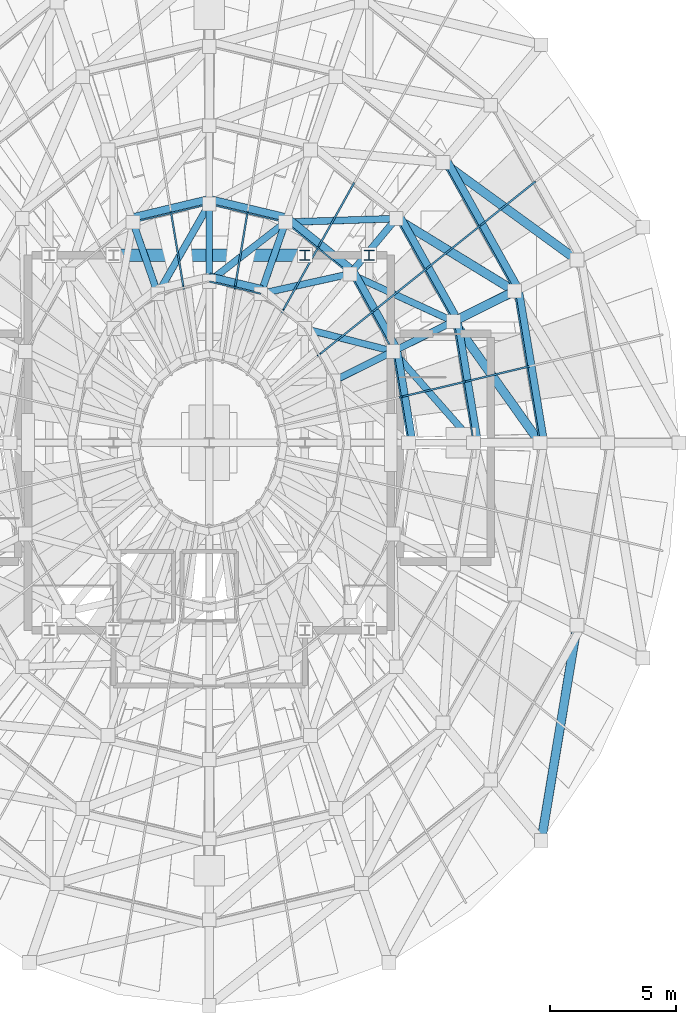
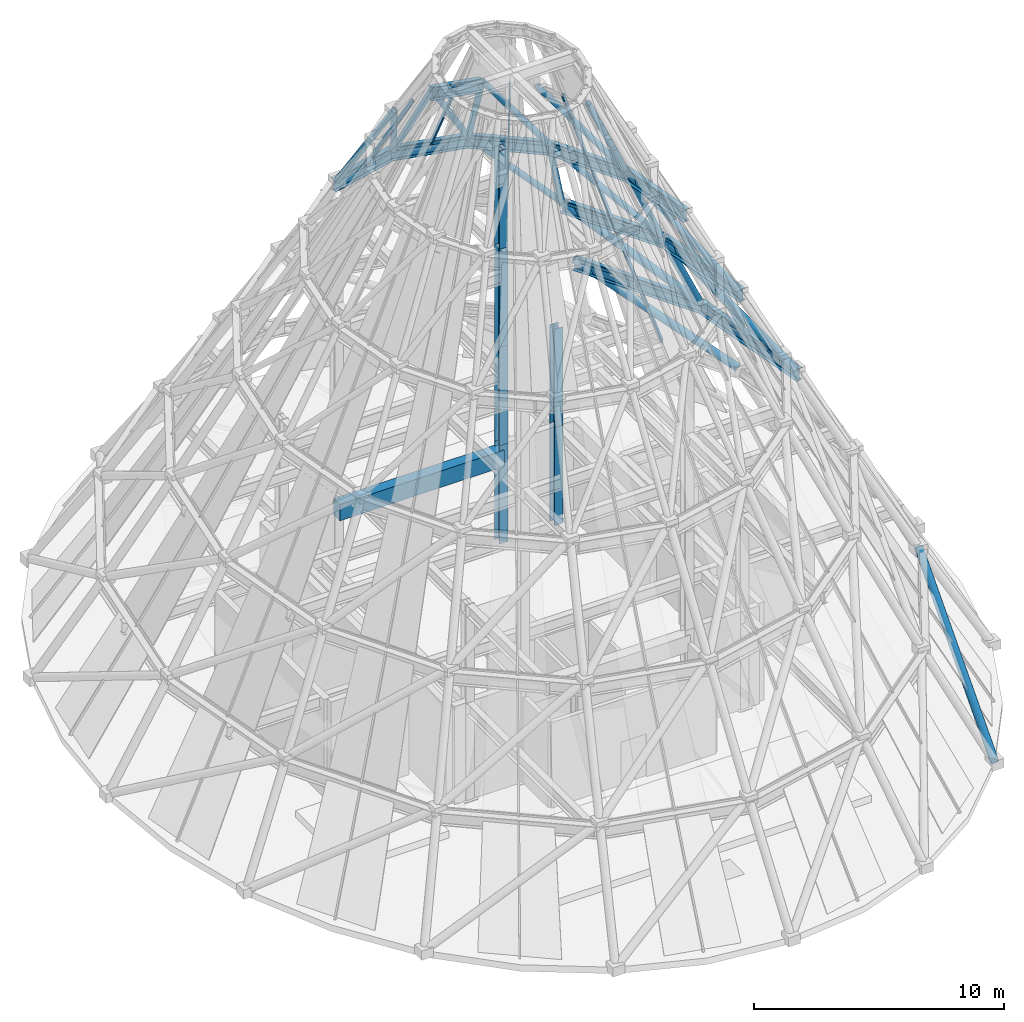
# One storey, part 8 of 16: 44 members, 11 beams, 4 elements without a shape of their own.
"""IFC4 building model written with IfcOpenShell, lengths in metres."""

from ifc_helpers import new_model, si_unit, direction, frame, origin, origin_2d, place, context, subcontext, project, spatial, rectangle, hollow_rectangle, hollow_circle, i_section, extrude, material, layer, layer_set, material_profile, profile_set, type_object, element, aggregate, save


model = new_model("IFC4")

# Units and contexts
model_context = context("Model", 3, precision=1e-05, world=origin(), true_north=direction((0.0, 1.0)))
body_context = subcontext(model_context, "Body", "Model", "MODEL_VIEW")
ifc_project = project(units=[si_unit("LENGTHUNIT", "METRE"), si_unit("AREAUNIT", "SQUARE_METRE"), si_unit("VOLUMEUNIT", "CUBIC_METRE"), si_unit("PLANEANGLEUNIT", "RADIAN"), si_unit("MASSUNIT", "GRAM", prefix="KILO")], contexts=[model_context])

# Site, building, storey
site_placement = place(None, origin())
site = spatial("IfcSite", under=ifc_project, at=site_placement, CompositionType="ELEMENT")
building_placement = place(site_placement, origin())
building = spatial("IfcBuilding", under=site, at=building_placement, Name="Veldorina Hangang Commons", CompositionType="ELEMENT")
storey_placement = place(building_placement, frame((0.0, 0.0, 308.39990234375)))
storey = spatial("IfcBuildingStorey", under=building, at=storey_placement, Name="Crown", CompositionType="ELEMENT", Elevation=308.39990234375)

# Beams
ifc_material_1 = material(Name="Concrete C50/60", Category="concrete")
ifc_material_profile_1 = material_profile(ifc_material_1, rectangle(XDim=0.5, YDim=0.800048828125, at=origin_2d()), Name="RC-CB-500x800")
ifc_profile_set_1 = profile_set([ifc_material_profile_1], Name="Concrete C50/60")
beam_type_1 = type_object("IfcBeamType", Name="BM-CB800", PredefinedType="LINTEL", material=ifc_profile_set_1)
beam_1_placement = place(storey_placement, frame((28.199951171875, 31.449951171875, 4.16015625), z_axis=(1.0, 0.0, 0.0), x_axis=(0.0, 1.0, 0.0)))
element("IfcBeam", 1, at=beam_1_placement, inside=storey, type_object=beam_type_1, Name="Crown north core coupling beam", PredefinedType="LINTEL", context=body_context, shape_type="SweptSolid", body=[
    extrude(rectangle(XDim=0.5, YDim=0.800048828125, at=origin_2d()), origin(), (0.0, 0.0, 1.0), 7.60009765625),
])
ifc_material_2 = material(Name="Steel SM460-TMC", Category="steel")
ifc_material_profile_2 = material_profile(ifc_material_2, i_section(OverallWidth=0.300048828125, OverallDepth=0.587890625, WebThickness=0.011962890625, FlangeThickness=0.02001953125, FilletRadius=0.01806640625, at=origin_2d()), Name="H-588x300x12x20")
ifc_profile_set_2 = profile_set([ifc_material_profile_2], Name="Steel SM460-TMC")
beam_type_2 = type_object("IfcBeamType", Name="BM-FG588", PredefinedType="BEAM", material=ifc_profile_set_2)
beam_2_placement = place(storey_placement, frame((45.296142578125, 24.0, 9.300048828125), z_axis=(-0.163758445565, 0.986500467058, 0.0), x_axis=(-0.986500467058, -0.163758445565, 0.0)))
element("IfcBeam", 2, at=beam_2_placement, inside=storey, type_object=beam_type_2, Name="Crown tier 2 ring beam 00", PredefinedType="BEAM", context=body_context, shape_type="SweptSolid", body=[
    extrude(i_section(OverallWidth=0.300048828125, OverallDepth=0.587890625, WebThickness=0.011962890625, FlangeThickness=0.02001953125, FilletRadius=0.01806640625, at=origin_2d()), origin(), (0.0, 0.0, 1.0), 6.18115234375),
])
beam_3_placement = place(storey_placement, frame((44.283935546875, 30.09765625, 9.300048828125), z_axis=(-0.486955766168, 0.873426632177, 0.0), x_axis=(-0.873426632177, -0.486955766168, 0.0)))
element("IfcBeam", 3, at=beam_3_placement, inside=storey, type_object=beam_type_2, Name="Crown tier 2 ring beam 01", PredefinedType="BEAM", context=body_context, shape_type="SweptSolid", body=[
    extrude(i_section(OverallWidth=0.300048828125, OverallDepth=0.587890625, WebThickness=0.011962890625, FlangeThickness=0.02001953125, FilletRadius=0.01806640625, at=origin_2d()), origin(), (0.0, 0.0, 1.0), 5.91845703125),
])
beam_4_placement = place(storey_placement, frame((42.6650390625, 24.0, 14.10009765625), z_axis=(-0.163728199347, 0.986505487435, 0.0), x_axis=(-0.986505487435, -0.163728199347, 0.0)))
element("IfcBeam", 4, at=beam_4_placement, inside=storey, type_object=beam_type_2, Name="Crown tier 3 ring beam 00", PredefinedType="BEAM", context=body_context, shape_type="SweptSolid", body=[
    extrude(i_section(OverallWidth=0.300048828125, OverallDepth=0.587890625, WebThickness=0.011962890625, FlangeThickness=0.02001953125, FilletRadius=0.01806640625, at=origin_2d()), origin(), (0.0, 0.0, 1.0), 4.9580078125),
])
beam_5_placement = place(storey_placement, frame((41.853271484375, 28.89111328125, 14.10009765625), z_axis=(-0.486956666645, 0.873426130139, 0.0), x_axis=(-0.873426130139, -0.486956666645, 0.0)))
element("IfcBeam", 5, at=beam_5_placement, inside=storey, type_object=beam_type_2, Name="Crown tier 3 ring beam 01", PredefinedType="BEAM", context=body_context, shape_type="SweptSolid", body=[
    extrude(i_section(OverallWidth=0.300048828125, OverallDepth=0.587890625, WebThickness=0.011962890625, FlangeThickness=0.02001953125, FilletRadius=0.01806640625, at=origin_2d()), origin(), (0.0, 0.0, 1.0), 4.747314453125),
])
beam_6_placement = place(storey_placement, frame((40.07080078125, 24.0, 18.900146484375), z_axis=(-0.163713087297, 0.98650799543, 0.0), x_axis=(-0.98650799543, -0.163713087297, 0.0)))
element("IfcBeam", 6, at=beam_6_placement, inside=storey, type_object=beam_type_2, Name="Crown tier 4 ring beam 00", PredefinedType="BEAM", context=body_context, shape_type="SweptSolid", body=[
    extrude(i_section(OverallWidth=0.300048828125, OverallDepth=0.587890625, WebThickness=0.011962890625, FlangeThickness=0.02001953125, FilletRadius=0.01806640625, at=origin_2d()), origin(), (0.0, 0.0, 1.0), 3.751953125),
])
beam_7_placement = place(storey_placement, frame((39.45654296875, 27.701416015625, 18.900146484375), z_axis=(-0.486992551607, 0.873406122419, 0.0), x_axis=(-0.873406122419, -0.486992551607, 0.0)))
element("IfcBeam", 7, at=beam_7_placement, inside=storey, type_object=beam_type_2, Name="Crown tier 4 ring beam 01", PredefinedType="BEAM", context=body_context, shape_type="SweptSolid", body=[
    extrude(i_section(OverallWidth=0.300048828125, OverallDepth=0.587890625, WebThickness=0.011962890625, FlangeThickness=0.02001953125, FilletRadius=0.01806640625, at=origin_2d()), origin(), (0.0, 0.0, 1.0), 3.592529296875),
])
beam_8_placement = place(storey_placement, frame((37.70703125, 30.839111328125, 18.900146484375), z_axis=(-0.780584702233, 0.62505001611, 0.0), x_axis=(-0.62505001611, -0.780584702233, 0.0)))
element("IfcBeam", 8, at=beam_8_placement, inside=storey, type_object=beam_type_2, Name="Crown tier 4 ring beam 02", PredefinedType="BEAM", context=body_context, shape_type="SweptSolid", body=[
    extrude(i_section(OverallWidth=0.300048828125, OverallDepth=0.587890625, WebThickness=0.011962890625, FlangeThickness=0.02001953125, FilletRadius=0.01806640625, at=origin_2d()), origin(), (0.0, 0.0, 1.0), 3.3544921875),
])
for number, where, z_axis, x_axis, name in (
    (9, (35.088623046875, 32.935791015625, 18.900146484375), (-0.972739348926, 0.231901183808, 0.0), (-0.231901183808, -0.972739348926, 0.0), "Crown tier 4 ring beam 03"),
    (10, (32.0, 33.672119140625, 18.900146484375), (-0.972739348926, -0.231901183808, 0.0), (0.231901183808, -0.972739348926, 0.0), "Crown tier 4 ring beam 04"),
):
    element("IfcBeam", number, at=place(storey_placement, frame(where, z_axis=z_axis, x_axis=x_axis)), inside=storey, type_object=beam_type_2, Name=name, PredefinedType="BEAM", context=body_context, shape_type="SweptSolid", body=[
        extrude(i_section(OverallWidth=0.300048828125, OverallDepth=0.587890625, WebThickness=0.011962890625, FlangeThickness=0.02001953125, FilletRadius=0.01806640625, at=origin_2d()), origin(), (0.0, 0.0, 1.0), 3.17529296875),
    ])
beam_9_placement = place(storey_placement, frame((34.10595703125, 30.093017578125, 23.7001953125), z_axis=(-0.972725088951, 0.231960990954, 0.0), x_axis=(-0.231960990954, -0.972725088951, 0.0)))
element("IfcBeam", 11, at=beam_9_placement, inside=storey, type_object=beam_type_2, Name="Crown tier 5 ring beam 03", PredefinedType="BEAM", context=body_context, shape_type="SweptSolid", body=[
    extrude(i_section(OverallWidth=0.300048828125, OverallDepth=0.587890625, WebThickness=0.011962890625, FlangeThickness=0.02001953125, FilletRadius=0.01806640625, at=origin_2d()), origin(), (0.0, 0.0, 1.0), 2.1650390625),
])

# Members
ifc_material_profile_3 = material_profile(ifc_material_2, i_section(OverallWidth=0.39990234375, OverallDepth=0.39990234375, WebThickness=0.012939453125, FlangeThickness=0.02099609375, FilletRadius=0.01806640625, at=origin_2d()), Name="H-400x400x13x21")
ifc_profile_set_3 = profile_set([ifc_material_profile_3], Name="Steel SM460-TMC")
member_type_1 = type_object("IfcMemberType", Name="CRN-POST-H400", PredefinedType="BRACE", material=ifc_profile_set_3)
for number, where, z_axis, x_axis, name in (
    (12, (38.35009765625, 31.449951171875, 0.0), (0.0, 0.0, 1.0), (1.0, 0.0, 0.0), "Crown tier 1 outer core post NE"),
    (13, (35.800048828125, 31.449951171875, 0.0), (0.0, 0.0, 1.0), (1.0, 0.0, 0.0), "Crown tier 1 inner core post INE"),
    (14, (38.35009765625, 31.449951171875, 4.800048828125), (0.0, 0.0, 1.0), (1.0, 0.0, 0.0), "Crown tier 2 outer core post NE"),
    (15, (35.800048828125, 31.449951171875, 4.800048828125), (0.0, 0.0, 1.0), (1.0, 0.0, 0.0), "Crown tier 2 inner core post INE"),
    (16, (35.800048828125, 31.449951171875, 9.60009765625), (0.0, 0.0, 1.0), (1.0, 0.0, 0.0), "Crown tier 3 inner core post INE"),
    (17, (35.800048828125, 31.449951171875, 14.400146484375), (0.0, 0.0, 1.0), (1.0, 0.0, 0.0), "Crown tier 4 inner core post INE"),
):
    element("IfcMember", number, at=place(storey_placement, frame(where, z_axis=z_axis, x_axis=x_axis)), inside=storey, type_object=member_type_1, Name=name, PredefinedType="BRACE", context=body_context, shape_type="SweptSolid", body=[
        extrude(i_section(OverallWidth=0.39990234375, OverallDepth=0.39990234375, WebThickness=0.012939453125, FlangeThickness=0.02099609375, FilletRadius=0.01806640625, at=origin_2d()), origin(), (0.0, 0.0, 1.0), 4.800048828125),
    ])
ifc_material_3 = material(Name="Steel SM355-TMC", Category="steel")
ifc_material_profile_4 = material_profile(ifc_material_3, hollow_circle(Radius=0.136474609375, WallThickness=0.011962890625, at=origin_2d()), Name="CHS-273.0x12")
ifc_profile_set_4 = profile_set([ifc_material_profile_4], Name="Steel SM355-TMC")
member_type_2 = type_object("IfcMemberType", Name="CRN-RIB273", PredefinedType="BRACE", material=ifc_profile_set_4)
member_1_placement = place(storey_placement, frame((42.5009765625, 24.0, 14.400146484375), z_axis=(-0.468921554688, 0.532469511309, 0.704690566898), x_axis=(-0.750469949179, -0.66090457358, 0.0)))
element("IfcMember", 18, at=member_1_placement, inside=storey, type_object=member_type_2, Name="Crown tier 4 CROWN FRAME diagrid brace 00", PredefinedType="BRACE", context=body_context, shape_type="SweptSolid", body=[
    extrude(hollow_circle(Radius=0.136474609375, WallThickness=0.011962890625, at=origin_2d()), origin(), (0.0, 0.0, 1.0), 6.8115234375),
])
member_2_placement = place(storey_placement, frame((41.70166015625, 28.81591796875, 14.400146484375), z_axis=(-0.435852985266, -0.216393520058, 0.873616632003), x_axis=(0.444691596768, -0.895683752093, 0.0)))
element("IfcMember", 19, at=member_2_placement, inside=storey, type_object=member_type_2, Name="Crown tier 4 CROWN FRAME meridian rib 01", PredefinedType="BRACE", context=body_context, shape_type="SweptSolid", body=[
    extrude(hollow_circle(Radius=0.136474609375, WallThickness=0.011962890625, at=origin_2d()), origin(), (0.0, 0.0, 1.0), 5.494384765625),
])
member_3_placement = place(storey_placement, frame((41.70166015625, 28.81591796875, 14.400146484375), z_axis=(-0.623173752506, 0.286003875838, 0.727912259269), x_axis=(-0.417115749595, -0.908853371804, 0.0)))
element("IfcMember", 20, at=member_3_placement, inside=storey, type_object=member_type_2, Name="Crown tier 4 CROWN FRAME diagrid brace 01", PredefinedType="BRACE", context=body_context, shape_type="SweptSolid", body=[
    extrude(hollow_circle(Radius=0.136474609375, WallThickness=0.011962890625, at=origin_2d()), origin(), (0.0, 0.0, 1.0), 6.59423828125),
])
member_4_placement = place(storey_placement, frame((39.42529296875, 32.8984375, 14.400146484375), z_axis=(-0.328028884835, -0.393084160477, 0.859000520079), x_axis=(0.767780420949, -0.640713059963, 0.0)))
element("IfcMember", 21, at=member_4_placement, inside=storey, type_object=member_type_2, Name="Crown tier 4 CROWN FRAME meridian rib 02", PredefinedType="BRACE", context=body_context, shape_type="SweptSolid", body=[
    extrude(hollow_circle(Radius=0.136474609375, WallThickness=0.011962890625, at=origin_2d()), origin(), (0.0, 0.0, 1.0), 5.587890625),
])
member_5_placement = place(storey_placement, frame((39.42529296875, 32.8984375, 14.400146484375), z_axis=(-0.675450014447, -0.021818943687, 0.737082906924), x_axis=(0.032285984733, -0.999478671703, 0.0)))
element("IfcMember", 22, at=member_5_placement, inside=storey, type_object=member_type_2, Name="Crown tier 4 CROWN FRAME diagrid brace 02", PredefinedType="BRACE", context=body_context, shape_type="SweptSolid", body=[
    extrude(hollow_circle(Radius=0.136474609375, WallThickness=0.011962890625, at=origin_2d()), origin(), (0.0, 0.0, 1.0), 6.51220703125),
])
member_6_placement = place(storey_placement, frame((39.306884765625, 27.626953125, 19.2001953125), z_axis=(-0.432504003521, -0.214693027495, 0.875698116295), x_axis=(0.444628824746, -0.895714914582, 0.0)))
element("IfcMember", 23, at=member_6_placement, inside=storey, type_object=member_type_2, Name="Crown tier 5 CROWN FRAME meridian rib 01", PredefinedType="BRACE", context=body_context, shape_type="SweptSolid", body=[
    extrude(hollow_circle(Radius=0.136474609375, WallThickness=0.011962890625, at=origin_2d()), origin(), (0.0, 0.0, 1.0), 5.481201171875),
])
member_7_placement = place(storey_placement, frame((39.306884765625, 27.626953125, 19.2001953125), z_axis=(-0.585685231505, 0.149480615679, 0.796635647667), x_axis=(-0.247296208435, -0.96893992863, 0.0)))
element("IfcMember", 24, at=member_7_placement, inside=storey, type_object=member_type_2, Name="Crown tier 5 CROWN FRAME diagrid brace 01", PredefinedType="BRACE", context=body_context, shape_type="SweptSolid", body=[
    extrude(hollow_circle(Radius=0.136474609375, WallThickness=0.011962890625, at=origin_2d()), origin(), (0.0, 0.0, 1.0), 6.025146484375),
])
member_8_placement = place(storey_placement, frame((37.59228515625, 30.701904296875, 19.2001953125), z_axis=(-0.589290288574, -0.130624459397, 0.797291795016), x_axis=(0.216411106862, -0.97630232655, 0.0)))
element("IfcMember", 25, at=member_8_placement, inside=storey, type_object=member_type_2, Name="Crown tier 5 CROWN FRAME diagrid brace 02", PredefinedType="BRACE", context=body_context, shape_type="SweptSolid", body=[
    extrude(hollow_circle(Radius=0.136474609375, WallThickness=0.011962890625, at=origin_2d()), origin(), (0.0, 0.0, 1.0), 6.02001953125),
])
member_9_placement = place(storey_placement, frame((35.026611328125, 32.75634765625, 19.2001953125), z_axis=(-0.173386459595, -0.501622288375, 0.847533017313), x_axis=(0.945132762504, -0.326686487693, 0.0)))
element("IfcMember", 26, at=member_9_placement, inside=storey, type_object=member_type_2, Name="Crown tier 5 CROWN FRAME meridian rib 03", PredefinedType="BRACE", context=body_context, shape_type="SweptSolid", body=[
    extrude(hollow_circle(Radius=0.136474609375, WallThickness=0.011962890625, at=origin_2d()), origin(), (0.0, 0.0, 1.0), 5.663330078125),
])
member_10_placement = place(storey_placement, frame((35.026611328125, 32.75634765625, 19.2001953125), z_axis=(-0.49268560955, -0.383116018074, 0.781334119847), x_axis=(0.61385684887, -0.789417360523, 0.0)))
element("IfcMember", 27, at=member_10_placement, inside=storey, type_object=member_type_2, Name="Crown tier 5 CROWN FRAME diagrid brace 03", PredefinedType="BRACE", context=body_context, shape_type="SweptSolid", body=[
    extrude(hollow_circle(Radius=0.136474609375, WallThickness=0.011962890625, at=origin_2d()), origin(), (0.0, 0.0, 1.0), 6.14306640625),
])
member_11_placement = place(storey_placement, frame((32.0, 33.477783203125, 19.2001953125), z_axis=(0.0, -0.539436480288, 0.842026296344), x_axis=(1.0, 0.0, 0.0)))
element("IfcMember", 28, at=member_11_placement, inside=storey, type_object=member_type_2, Name="Crown tier 5 CROWN FRAME meridian rib 04", PredefinedType="BRACE", context=body_context, shape_type="SweptSolid", body=[
    extrude(hollow_circle(Radius=0.136474609375, WallThickness=0.011962890625, at=origin_2d()), origin(), (0.0, 0.0, 1.0), 5.7001953125),
])
member_12_placement = place(storey_placement, frame((32.0, 33.477783203125, 19.2001953125), z_axis=(-0.323662341353, -0.563887429574, 0.759785269374), x_axis=(0.867286839261, -0.497808736811, 0.0)))
element("IfcMember", 29, at=member_12_placement, inside=storey, type_object=member_type_2, Name="Crown tier 5 CROWN FRAME diagrid brace 04", PredefinedType="BRACE", context=body_context, shape_type="SweptSolid", body=[
    extrude(hollow_circle(Radius=0.136474609375, WallThickness=0.011962890625, at=origin_2d()), origin(), (0.0, 0.0, 1.0), 6.3173828125),
])
member_13_placement = place(storey_placement, frame((28.973388671875, 32.75634765625, 19.2001953125), z_axis=(0.173386459595, -0.501622288375, 0.847533017313), x_axis=(0.945132762504, 0.326686487693, 0.0)))
element("IfcMember", 30, at=member_13_placement, inside=storey, type_object=member_type_2, Name="Crown tier 5 CROWN FRAME meridian rib 05", PredefinedType="BRACE", context=body_context, shape_type="SweptSolid", body=[
    extrude(hollow_circle(Radius=0.136474609375, WallThickness=0.011962890625, at=origin_2d()), origin(), (0.0, 0.0, 1.0), 5.663330078125),
])
ifc_material_profile_5 = material_profile(ifc_material_3, hollow_circle(Radius=0.177734375, WallThickness=0.01611328125, at=origin_2d()), Name="CHS-355.6x16")
ifc_profile_set_5 = profile_set([ifc_material_profile_5], Name="Steel SM355-TMC")
member_type_3 = type_object("IfcMemberType", Name="CRN-RIB355", PredefinedType="BRACE", material=ifc_profile_set_5)
member_14_placement = place(storey_placement, frame((45.1875, 8.1962890625, 0.0), z_axis=(0.143334626605, 0.863038037916, 0.484376434115), x_axis=(-0.986487378252, 0.163837274604, 0.0)))
element("IfcMember", 31, at=member_14_placement, inside=storey, type_object=member_type_3, Name="Crown tier 1 CROWN FRAME diagrid brace 14", PredefinedType="BRACE", context=body_context, shape_type="SweptSolid", body=[
    extrude(hollow_circle(Radius=0.177734375, WallThickness=0.01611328125, at=origin_2d()), origin(), (0.0, 0.0, 1.0), 9.90966796875),
])
member_15_placement = place(storey_placement, frame((46.60791015625, 31.251220703125, 4.800048828125), z_axis=(-0.653453203163, 0.475393946565, 0.589066640412), x_axis=(-0.588297350815, -0.808644685276, 0.0)))
element("IfcMember", 32, at=member_15_placement, inside=storey, type_object=member_type_3, Name="Crown tier 2 CROWN FRAME diagrid brace 01", PredefinedType="BRACE", context=body_context, shape_type="SweptSolid", body=[
    extrude(hollow_circle(Radius=0.177734375, WallThickness=0.01611328125, at=origin_2d()), origin(), (0.0, 0.0, 1.0), 8.148681640625),
])
member_16_placement = place(storey_placement, frame((45.12841796875, 24.0, 9.60009765625), z_axis=(-0.450047676964, 0.632490772001, 0.630406624166), x_axis=(-0.814787088927, -0.579760295051, 0.0)))
element("IfcMember", 33, at=member_16_placement, inside=storey, type_object=member_type_3, Name="Crown tier 3 CROWN FRAME diagrid brace 00", PredefinedType="BRACE", context=body_context, shape_type="SweptSolid", body=[
    extrude(hollow_circle(Radius=0.177734375, WallThickness=0.01611328125, at=origin_2d()), origin(), (0.0, 0.0, 1.0), 7.6142578125),
])
member_17_placement = place(storey_placement, frame((44.129150390625, 30.020751953125, 9.60009765625), z_axis=(-0.440381719039, -0.21857425158, 0.870798046669), x_axis=(0.444581110507, -0.89573859813, 0.0)))
element("IfcMember", 34, at=member_17_placement, inside=storey, type_object=member_type_3, Name="Crown tier 3 CROWN FRAME meridian rib 01", PredefinedType="BRACE", context=body_context, shape_type="SweptSolid", body=[
    extrude(hollow_circle(Radius=0.177734375, WallThickness=0.01611328125, at=origin_2d()), origin(), (0.0, 0.0, 1.0), 5.51220703125),
])
member_18_placement = place(storey_placement, frame((44.129150390625, 30.020751953125, 9.60009765625), z_axis=(-0.643412007407, 0.393621079115, 0.656569444005), x_axis=(-0.521860057708, -0.853031113248, 0.0)))
element("IfcMember", 35, at=member_18_placement, inside=storey, type_object=member_type_3, Name="Crown tier 3 CROWN FRAME diagrid brace 01", PredefinedType="BRACE", context=body_context, shape_type="SweptSolid", body=[
    extrude(hollow_circle(Radius=0.177734375, WallThickness=0.01611328125, at=origin_2d()), origin(), (0.0, 0.0, 1.0), 7.310791015625),
])

# Curtain wall, member
ifc_material_4 = material(Name="Glass Low-Iron Laminated", Category="glass")
ifc_layer = layer(ifc_material_4, 0.179931640625)
ifc_layer_set = layer_set([ifc_layer], Name="Glass Low-Iron Laminated")
curtain_wall_type = type_object("IfcCurtainWallType", Name="CW-SYS-CRN", PredefinedType="NOTDEFINED", material=ifc_layer_set)
curtain_wall_1_placement = place(storey_placement, origin())
curtain_wall_1 = element("IfcCurtainWall", 36, at=curtain_wall_1_placement, inside=storey, type_object=curtain_wall_type, Name="Crown glass-point sloped pyramidal curtain wall tier 2", PredefinedType="NOTDEFINED")
ifc_material_5 = material(Name="Aluminium Anodized AA6063-T6", Category="aluminium")
ifc_material_profile_6 = material_profile(ifc_material_5, hollow_rectangle(XDim=0.070068359375, YDim=0.179931640625, WallThickness=0.00390625, at=origin_2d()), Name="ALU-RHS-180x70x4")
ifc_profile_set_6 = profile_set([ifc_material_profile_6], Name="Aluminium Anodized AA6063-T6")
member_type_4 = type_object("IfcMemberType", Name="CW-MUL-180", PredefinedType="MULLION", material=ifc_profile_set_6)
member_19_placement = place(storey_placement, frame((44.894287109375, 34.324951171875, 4.800048828125), z_axis=(-0.39362812705, -0.315183601842, 0.863548605884), x_axis=(0.625034893689, -0.78059681121, 0.0)))
member_19 = element("IfcMember", 37, at=member_19_placement, type_object=member_type_4, Name="CW-CRN-T2 sloped mid-facet mullion 2", PredefinedType="MULLION", context=body_context, shape_type="SweptSolid", body=[
    extrude(hollow_rectangle(XDim=0.070068359375, YDim=0.179931640625, WallThickness=0.00390625, at=origin_2d()), origin(), (0.0, 0.0, 1.0), 5.55859375),
])

# Curtain wall, members
curtain_wall_2_placement = place(storey_placement, origin())
curtain_wall_2 = element("IfcCurtainWall", 38, at=curtain_wall_2_placement, inside=storey, type_object=curtain_wall_type, Name="Crown glass-point sloped pyramidal curtain wall tier 3", PredefinedType="NOTDEFINED")
member_20_placement = place(storey_placement, frame((44.628662109375, 27.010498046875, 9.60009765625), z_axis=(-0.463043570632, -0.110393308764, 0.879433891248), x_axis=(0.231908464941, -0.972737613074, 0.0)))
member_20 = element("IfcMember", 39, at=member_20_placement, type_object=member_type_4, Name="CW-CRN-T3 sloped mid-facet mullion 1", PredefinedType="MULLION", context=body_context, shape_type="SweptSolid", body=[
    extrude(hollow_rectangle(XDim=0.070068359375, YDim=0.179931640625, WallThickness=0.00390625, at=origin_2d()), origin(), (0.0, 0.0, 1.0), 5.4580078125),
])
member_21_placement = place(storey_placement, frame((42.706298828125, 32.572998046875, 9.60009765625), z_axis=(-0.387520273629, -0.310298790368, 0.86806837186), x_axis=(0.625042053082, -0.780591078529, 0.0)))
member_21 = element("IfcMember", 40, at=member_21_placement, type_object=member_type_4, Name="CW-CRN-T3 sloped mid-facet mullion 2", PredefinedType="MULLION", context=body_context, shape_type="SweptSolid", body=[
    extrude(hollow_rectangle(XDim=0.070068359375, YDim=0.179931640625, WallThickness=0.00390625, at=origin_2d()), origin(), (0.0, 0.0, 1.0), 5.529541015625),
])

curtain_wall_3_placement = place(storey_placement, origin())
curtain_wall_3 = element("IfcCurtainWall", 41, at=curtain_wall_3_placement, inside=storey, type_object=curtain_wall_type, Name="Crown glass-point sloped pyramidal curtain wall tier 4", PredefinedType="NOTDEFINED")
member_22_placement = place(storey_placement, frame((42.101318359375, 26.407958984375, 14.400146484375), z_axis=(-0.458212699142, -0.109247813807, 0.882103189839), x_axis=(0.231920966436, -0.972734632532, 0.0)))
member_22 = element("IfcMember", 42, at=member_22_placement, type_object=member_type_4, Name="CW-CRN-T4 sloped mid-facet mullion 1", PredefinedType="MULLION", context=body_context, shape_type="SweptSolid", body=[
    extrude(hollow_rectangle(XDim=0.070068359375, YDim=0.179931640625, WallThickness=0.00390625, at=origin_2d()), origin(), (0.0, 0.0, 1.0), 5.441650390625),
])
member_23_placement = place(storey_placement, frame((40.5634765625, 30.857177734375, 14.400146484375), z_axis=(-0.383534533147, -0.307164293468, 0.870948539641), x_axis=(0.625112734885, -0.780534476295, 0.0)))
member_23 = element("IfcMember", 43, at=member_23_placement, type_object=member_type_4, Name="CW-CRN-T4 sloped mid-facet mullion 2", PredefinedType="MULLION", context=body_context, shape_type="SweptSolid", body=[
    extrude(hollow_rectangle(XDim=0.070068359375, YDim=0.179931640625, WallThickness=0.00390625, at=origin_2d()), origin(), (0.0, 0.0, 1.0), 5.51123046875),
])
member_24_placement = place(storey_placement, frame((37.721923828125, 34.26220703125, 14.400146484375), z_axis=(-0.25183553366, -0.451693257954, 0.855892554416), x_axis=(0.873421711736, -0.486964591595, 0.0)))
member_24 = element("IfcMember", 44, at=member_24_placement, type_object=member_type_4, Name="CW-CRN-T4 sloped mid-facet mullion 3", PredefinedType="MULLION", context=body_context, shape_type="SweptSolid", body=[
    extrude(hollow_rectangle(XDim=0.070068359375, YDim=0.179931640625, WallThickness=0.00390625, at=origin_2d()), origin(), (0.0, 0.0, 1.0), 5.608154296875),
])

curtain_wall_4_placement = place(storey_placement, origin())
curtain_wall_4 = element("IfcCurtainWall", 45, at=curtain_wall_4_placement, inside=storey, type_object=curtain_wall_type, Name="Crown glass-point sloped pyramidal curtain wall tier 5", PredefinedType="NOTDEFINED")
member_25_placement = place(storey_placement, frame((38.44970703125, 29.164306640625, 19.2001953125), z_axis=(-0.38062719347, -0.304732680153, 0.873075559867), x_axis=(0.624983791766, -0.780637726497, 0.0)))
member_25 = element("IfcMember", 46, at=member_25_placement, type_object=member_type_4, Name="CW-CRN-T5 sloped mid-facet mullion 2", PredefinedType="MULLION", context=body_context, shape_type="SweptSolid", body=[
    extrude(hollow_rectangle(XDim=0.070068359375, YDim=0.179931640625, WallThickness=0.00390625, at=origin_2d()), origin(), (0.0, 0.0, 1.0), 5.49755859375),
])
member_26_placement = place(storey_placement, frame((36.3095703125, 31.72900390625, 19.2001953125), z_axis=(-0.249992590984, -0.448345364414, 0.85819003645), x_axis=(0.873402131722, -0.486999708731, 0.0)))
member_26 = element("IfcMember", 47, at=member_26_placement, type_object=member_type_4, Name="CW-CRN-T5 sloped mid-facet mullion 3", PredefinedType="MULLION", context=body_context, shape_type="SweptSolid", body=[
    extrude(hollow_rectangle(XDim=0.070068359375, YDim=0.179931640625, WallThickness=0.00390625, at=origin_2d()), origin(), (0.0, 0.0, 1.0), 5.593017578125),
])
member_27_placement = place(storey_placement, frame((33.51318359375, 33.1171875, 19.2001953125), z_axis=(-0.086752209308, -0.5226701979, 0.848109614618), x_axis=(0.986503732058, -0.1637387756, 0.0)))
member_27 = element("IfcMember", 48, at=member_27_placement, type_object=member_type_4, Name="CW-CRN-T5 sloped mid-facet mullion 4", PredefinedType="MULLION", context=body_context, shape_type="SweptSolid", body=[
    extrude(hollow_rectangle(XDim=0.070068359375, YDim=0.179931640625, WallThickness=0.00390625, at=origin_2d()), origin(), (0.0, 0.0, 1.0), 5.659423828125),
])
member_28_placement = place(storey_placement, frame((30.48681640625, 33.1171875, 19.2001953125), z_axis=(0.086752209308, -0.5226701979, 0.848109614618), x_axis=(0.986503732058, 0.1637387756, 0.0)))
member_28 = element("IfcMember", 49, at=member_28_placement, type_object=member_type_4, Name="CW-CRN-T5 sloped mid-facet mullion 5", PredefinedType="MULLION", context=body_context, shape_type="SweptSolid", body=[
    extrude(hollow_rectangle(XDim=0.070068359375, YDim=0.179931640625, WallThickness=0.00390625, at=origin_2d()), origin(), (0.0, 0.0, 1.0), 5.659423828125),
])

# Member
ifc_material_profile_7 = material_profile(ifc_material_5, hollow_rectangle(XDim=0.06005859375, YDim=0.139892578125, WallThickness=0.00341796875, at=origin_2d()), Name="ALU-RHS-140x60x3.5")
ifc_profile_set_7 = profile_set([ifc_material_profile_7], Name="Aluminium Anodized AA6063-T6")
member_type_5 = type_object("IfcMemberType", Name="CW-TRN-140", PredefinedType="USERDEFINED", material=ifc_profile_set_7)
member_29_placement = place(storey_placement, frame((45.12841796875, 24.0, 9.60009765625), z_axis=(-0.16373079742, 0.986505056235, 0.0), x_axis=(-0.986505056235, -0.16373079742, 0.0)))
member_29 = element("IfcMember", 50, at=member_29_placement, type_object=member_type_5, Name="CW-CRN-T2 horizontal ring transom 1", ObjectType="TRANSOM", PredefinedType="USERDEFINED", context=body_context, shape_type="SweptSolid", body=[
    extrude(hollow_rectangle(XDim=0.06005859375, YDim=0.139892578125, WallThickness=0.00341796875, at=origin_2d()), origin(), (0.0, 0.0, 1.0), 6.10302734375),
])

member_30_placement = place(storey_placement, frame((44.129150390625, 30.020751953125, 9.60009765625), z_axis=(-0.486983133901, 0.873411373464, 0.0), x_axis=(-0.873411373464, -0.486983133901, 0.0)))
member_30 = element("IfcMember", 51, at=member_30_placement, type_object=member_type_5, Name="CW-CRN-T2 horizontal ring transom 2", ObjectType="TRANSOM", PredefinedType="USERDEFINED", context=body_context, shape_type="SweptSolid", body=[
    extrude(hollow_rectangle(XDim=0.06005859375, YDim=0.139892578125, WallThickness=0.00341796875, at=origin_2d()), origin(), (0.0, 0.0, 1.0), 5.843994140625),
])

aggregate(curtain_wall_1, [member_29, member_19, member_30])

member_31_placement = place(storey_placement, frame((42.5009765625, 24.0, 14.400146484375), z_axis=(-0.163733947204, 0.986504533458, 0.0), x_axis=(-0.986504533458, -0.163733947204, 0.0)))
member_31 = element("IfcMember", 52, at=member_31_placement, type_object=member_type_5, Name="CW-CRN-T3 horizontal ring transom 1", ObjectType="TRANSOM", PredefinedType="USERDEFINED", context=body_context, shape_type="SweptSolid", body=[
    extrude(hollow_rectangle(XDim=0.06005859375, YDim=0.139892578125, WallThickness=0.00341796875, at=origin_2d()), origin(), (0.0, 0.0, 1.0), 4.8818359375),
])

member_32_placement = place(storey_placement, frame((41.70166015625, 28.81591796875, 14.400146484375), z_axis=(-0.486999359603, 0.873402326392, 0.0), x_axis=(-0.873402326392, -0.486999359603, 0.0)))
member_32 = element("IfcMember", 53, at=member_32_placement, type_object=member_type_5, Name="CW-CRN-T3 horizontal ring transom 2", ObjectType="TRANSOM", PredefinedType="USERDEFINED", context=body_context, shape_type="SweptSolid", body=[
    extrude(hollow_rectangle(XDim=0.06005859375, YDim=0.139892578125, WallThickness=0.00341796875, at=origin_2d()), origin(), (0.0, 0.0, 1.0), 4.67431640625),
])

aggregate(curtain_wall_2, [member_20, member_31, member_21, member_32])

member_33_placement = place(storey_placement, frame((39.908935546875, 24.0, 19.2001953125), z_axis=(-0.163752856727, 0.986501394785, 0.0), x_axis=(-0.986501394785, -0.163752856727, 0.0)))
member_33 = element("IfcMember", 54, at=member_33_placement, type_object=member_type_5, Name="CW-CRN-T4 horizontal ring transom 1", ObjectType="TRANSOM", PredefinedType="USERDEFINED", context=body_context, shape_type="SweptSolid", body=[
    extrude(hollow_rectangle(XDim=0.06005859375, YDim=0.139892578125, WallThickness=0.00341796875, at=origin_2d()), origin(), (0.0, 0.0, 1.0), 3.676513671875),
])

member_34_placement = place(storey_placement, frame((39.306884765625, 27.626953125, 19.2001953125), z_axis=(-0.487008299347, 0.873397341631, 0.0), x_axis=(-0.873397341631, -0.487008299347, 0.0)))
member_34 = element("IfcMember", 55, at=member_34_placement, type_object=member_type_5, Name="CW-CRN-T4 horizontal ring transom 2", ObjectType="TRANSOM", PredefinedType="USERDEFINED", context=body_context, shape_type="SweptSolid", body=[
    extrude(hollow_rectangle(XDim=0.06005859375, YDim=0.139892578125, WallThickness=0.00341796875, at=origin_2d()), origin(), (0.0, 0.0, 1.0), 3.520751953125),
])

member_35_placement = place(storey_placement, frame((37.59228515625, 30.701904296875, 19.2001953125), z_axis=(-0.780586111303, 0.62504825641, 0.0), x_axis=(-0.62504825641, -0.780586111303, 0.0)))
member_35 = element("IfcMember", 56, at=member_35_placement, type_object=member_type_5, Name="CW-CRN-T4 horizontal ring transom 3", ObjectType="TRANSOM", PredefinedType="USERDEFINED", context=body_context, shape_type="SweptSolid", body=[
    extrude(hollow_rectangle(XDim=0.06005859375, YDim=0.139892578125, WallThickness=0.00341796875, at=origin_2d()), origin(), (0.0, 0.0, 1.0), 3.286865234375),
])

member_36_placement = place(storey_placement, frame((35.026611328125, 32.75634765625, 19.2001953125), z_axis=(-0.972747249247, 0.231868042391, 0.0), x_axis=(-0.231868042391, -0.972747249247, 0.0)))
member_36 = element("IfcMember", 57, at=member_36_placement, type_object=member_type_5, Name="CW-CRN-T4 horizontal ring transom 4", ObjectType="TRANSOM", PredefinedType="USERDEFINED", context=body_context, shape_type="SweptSolid", body=[
    extrude(hollow_rectangle(XDim=0.06005859375, YDim=0.139892578125, WallThickness=0.00341796875, at=origin_2d()), origin(), (0.0, 0.0, 1.0), 3.111328125),
])

member_37_placement = place(storey_placement, frame((32.0, 33.477783203125, 19.2001953125), z_axis=(-0.972747249247, -0.231868042391, 0.0), x_axis=(0.231868042391, -0.972747249247, 0.0)))
member_37 = element("IfcMember", 58, at=member_37_placement, type_object=member_type_5, Name="CW-CRN-T4 horizontal ring transom 5", ObjectType="TRANSOM", PredefinedType="USERDEFINED", context=body_context, shape_type="SweptSolid", body=[
    extrude(hollow_rectangle(XDim=0.06005859375, YDim=0.139892578125, WallThickness=0.00341796875, at=origin_2d()), origin(), (0.0, 0.0, 1.0), 3.111328125),
])

aggregate(curtain_wall_3, [member_22, member_33, member_23, member_34, member_24, member_35, member_36, member_37])

member_38_placement = place(storey_placement, frame((34.044677734375, 29.91552734375, 24.0), z_axis=(-0.972755095045, 0.231835124741, 0.0), x_axis=(-0.231835124741, -0.972755095045, 0.0)))
member_38 = element("IfcMember", 59, at=member_38_placement, type_object=member_type_5, Name="CW-CRN-T5 horizontal ring transom 4", ObjectType="TRANSOM", PredefinedType="USERDEFINED", context=body_context, shape_type="SweptSolid", body=[
    extrude(hollow_rectangle(XDim=0.06005859375, YDim=0.139892578125, WallThickness=0.00341796875, at=origin_2d()), origin(), (0.0, 0.0, 1.0), 2.10205078125),
])

aggregate(curtain_wall_4, [member_25, member_26, member_27, member_38, member_28])

save(model, "model.ifc")
